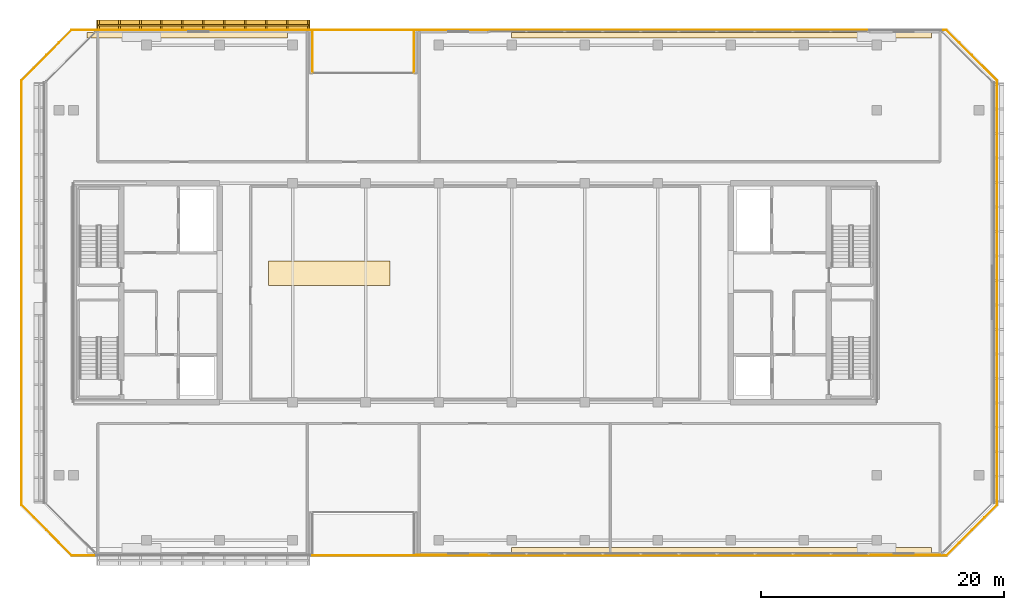
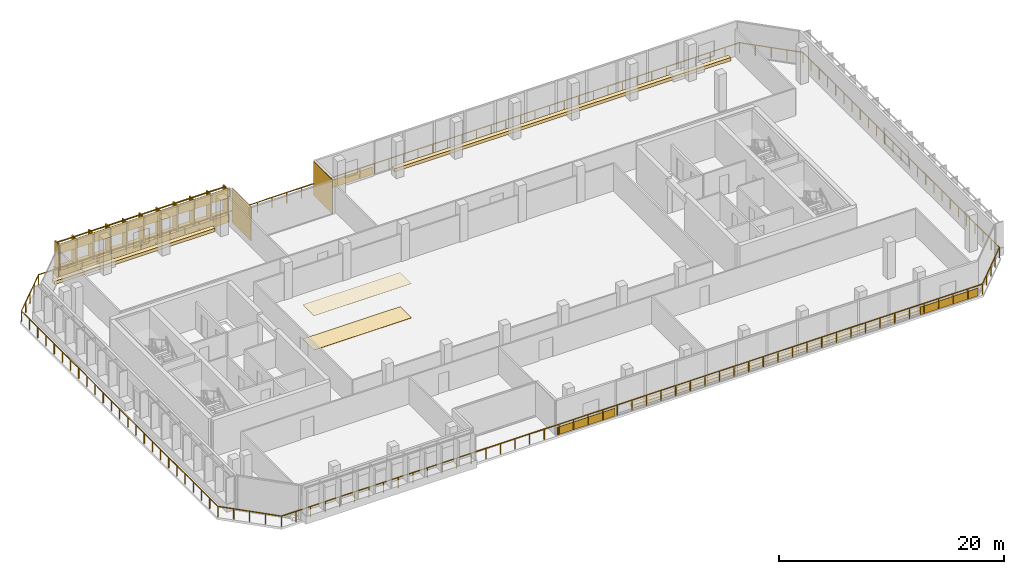
# One storey, part 25 of 26: 12 coverings, 3 railings.
"""IFC4 building model written with IfcOpenShell, lengths in metres."""

from ifc_helpers import new_model, si_unit, direction, frame, origin, origin_2d, place, context, subcontext, project, spatial, polyline, rectangle, outline, extrude, material, layer, layer_set, type_object, element, save


model = new_model("IFC4")

# Units and contexts
model_context = context("Model", 3, precision=1e-05, world=origin(), true_north=direction((0.0, 1.0)))
body_context = subcontext(model_context, "Body", "Model", "MODEL_VIEW")
ifc_project = project(units=[si_unit("LENGTHUNIT", "METRE"), si_unit("AREAUNIT", "SQUARE_METRE"), si_unit("VOLUMEUNIT", "CUBIC_METRE"), si_unit("PLANEANGLEUNIT", "RADIAN"), si_unit("MASSUNIT", "GRAM", prefix="KILO")], contexts=[model_context])

# Site, building, storey
site_placement = place(None, origin())
site = spatial("IfcSite", under=ifc_project, at=site_placement, CompositionType="ELEMENT")
building_placement = place(site_placement, origin())
building = spatial("IfcBuilding", under=site, at=building_placement, Name="Tanjung Sevakor Pilgrim Tower", CompositionType="ELEMENT")
storey_placement = place(building_placement, frame((0.0, 0.0, 177.8701171875)))
storey = spatial("IfcBuildingStorey", under=building, at=storey_placement, Name="L49", CompositionType="ELEMENT", Elevation=177.8701171875)

# Coverings
ifc_material_1 = material(Name="Acoustic Gypsum Board Ceiling", Category="gypsum board")
ifc_layer_1 = layer(ifc_material_1, 0.02490234375)
ifc_layer_set_1 = layer_set([ifc_layer_1], Name="COV-CEIL-ACOUSTIC")
covering_type_1 = type_object("IfcCoveringType", Name="COV-CEIL-ACOUSTIC", PredefinedType="CEILING", material=ifc_layer_set_1)
covering_1_placement = place(storey_placement, frame((45.0, 35.199951171875, 3.71533203125), z_axis=(0.0, 0.0, 1.0), x_axis=(1.0, 0.0, 0.0)))
element("IfcCovering", 1, at=covering_1_placement, inside=storey, type_object=covering_type_1, Name="L49 Acoustic Suspended Ceiling", PredefinedType="CEILING", context=body_context, shape_type="SweptSolid", body=[
    extrude(rectangle(XDim=10.0, YDim=2.0, at=origin_2d()), origin(), (0.0, 0.0, 1.0), 0.02490234375),
])
ifc_material_2 = material(Name="Reconstructed Limestone Cladding", Category="masonry")
ifc_layer_2 = layer(ifc_material_2, 0.044921875)
ifc_layer_set_2 = layer_set([ifc_layer_2], Name="COV-CLAD-LIMESTONE")
covering_type_2 = type_object("IfcCoveringType", Name="COV-CLAD-LIMESTONE", PredefinedType="CLADDING", material=ifc_layer_set_2)
for number, where, z_axis, x_axis, name in (
    (2, (55.110107421875, 12.027587890625, 0.009765625), (0.0, 0.0, 1.0), (1.0, 0.0, 0.0), "L49 Warm Limestone Sill Spandrel EW-SKY-L49-S1-1"),
    (3, (92.3544921875, 12.027587890625, 0.009765625), (0.0, 0.0, 1.0), (1.0, 0.0, 0.0), "L49 Warm Limestone Sill Spandrel EW-SKY-L49-S2-1"),
    (4, (55.110107421875, 55.172607421875, 0.009765625), (0.0, 0.0, 1.0), (-1.0, 0.0, 0.0), "L49 Warm Limestone Sill Spandrel EW-SKY-L49-N2-1"),
):
    element("IfcCovering", number, at=place(storey_placement, frame(where, z_axis=z_axis, x_axis=x_axis)), inside=storey, type_object=covering_type_2, Name=name, PredefinedType="CLADDING", context=body_context, shape_type="SweptSolid", body=[
        extrude(rectangle(XDim=5.919921875, YDim=0.044921875, at=origin_2d()), origin(), (0.0, 0.0, 1.0), 0.840087890625),
    ])
for number, where, z_axis, x_axis, name in (
    (5, (51.9775390625, 53.340087890625, 0.02001953125), (0.0, 0.0, 1.0), (0.0, -1.0, 0.0), "L49 Warm Limestone Wall Cladding EW-L49-MAIN-10"),
    (6, (43.62255859375, 53.340087890625, 0.02001953125), (0.0, 0.0, 1.0), (0.0, 1.0, 0.0), "L49 Warm Limestone Wall Cladding EW-L49-MAIN-12"),
):
    element("IfcCovering", number, at=place(storey_placement, frame(where, z_axis=z_axis, x_axis=x_axis)), inside=storey, type_object=covering_type_2, Name=name, PredefinedType="CLADDING", context=body_context, shape_type="SweptSolid", body=[
        extrude(rectangle(XDim=3.360107421875, YDim=0.044921875, at=origin_2d()), origin(), (0.0, 0.0, 1.0), 3.699951171875),
    ])
covering_2_placement = place(storey_placement, frame((34.667724609375, 55.580078125, 0.009765625), z_axis=(0.0, 0.0, 1.0), x_axis=(-1.0, 0.0, 0.0)))
element("IfcCovering", 7, at=covering_2_placement, inside=storey, type_object=covering_type_2, Name="L49 Warm Limestone Sill Spandrel EW-L49-MAIN-13-1", PredefinedType="CLADDING", context=body_context, shape_type="SweptSolid", body=[
    extrude(rectangle(XDim=17.564453125, YDim=0.860107421875, at=origin_2d()), origin(), (0.0, 0.0, 1.0), 0.840087890625),
])
covering_3_placement = place(storey_placement, frame((34.667724609375, 55.172607421875, 2.65966796875), z_axis=(0.0, 0.0, 1.0), x_axis=(-1.0, 0.0, 0.0)))
element("IfcCovering", 8, at=covering_3_placement, inside=storey, type_object=covering_type_2, Name="L49 Warm Limestone Cornice Spandrel EW-L49-MAIN-13", PredefinedType="CLADDING", context=body_context, shape_type="SweptSolid", body=[
    extrude(rectangle(XDim=17.6044921875, YDim=0.044921875, at=origin_2d()), origin(), (0.0, 0.0, 1.0), 1.070068359375),
])
ifc_material_3 = material(Name="Honed Limestone Terrazzo Flooring", Category="masonry")
ifc_layer_3 = layer(ifc_material_3, 0.030029296875)
ifc_layer_set_3 = layer_set([ifc_layer_3], Name="COV-FLOOR-TERRAZZO")
covering_type_3 = type_object("IfcCoveringType", Name="COV-FLOOR-TERRAZZO", PredefinedType="FLOORING", material=ifc_layer_set_3)
covering_4_placement = place(storey_placement, frame((45.0, 35.199951171875, 0.0), z_axis=(0.0, 0.0, 1.0), x_axis=(1.0, 0.0, 0.0)))
element("IfcCovering", 9, at=covering_4_placement, inside=storey, type_object=covering_type_3, Name="L49 Terrazzo Lobby Flooring", PredefinedType="FLOORING", context=body_context, shape_type="SweptSolid", body=[
    extrude(rectangle(XDim=10.0, YDim=2.0, at=origin_2d()), origin(), (0.0, 0.0, 1.0), 0.030029296875),
])
ifc_material_4 = material(Name="Vegetated Modular Planter Assembly", Category="organic")
ifc_layer_4 = layer(ifc_material_4, 0.35009765625)
ifc_layer_set_4 = layer_set([ifc_layer_4], Name="COV-GRN-TROUGH")
covering_type_4 = type_object("IfcCoveringType", Name="COV-GRN-TROUGH", PredefinedType="CLADDING", material=ifc_layer_set_4)
covering_5_placement = place(storey_placement, origin())
element("IfcCovering", 10, at=covering_5_placement, inside=storey, type_object=covering_type_4, Name="L49 Planted Landscape Hedge Trough SGRN-L49-SE", PredefinedType="CLADDING", context=body_context, shape_type="SweptSolid", body=[
    extrude(outline(polyline([(60.0, 12.22998046875), (94.5, 12.22998046875), (94.5, 12.669921875), (60.0, 12.669921875), (60.0, 12.22998046875)])), origin(), (0.0, 0.0, 1.0), 0.349853515625),
])
covering_6_placement = place(storey_placement, origin())
element("IfcCovering", 11, at=covering_6_placement, inside=storey, type_object=covering_type_4, Name="L49 Planted Landscape Hedge Trough SGRN-L49-NW", PredefinedType="CLADDING", context=body_context, shape_type="SweptSolid", body=[
    extrude(outline(polyline([(25.10009765625, 54.530029296875), (41.60009765625, 54.530029296875), (41.60009765625, 54.969970703125), (25.10009765625, 54.969970703125), (25.10009765625, 54.530029296875)])), origin(), (0.0, 0.0, 1.0), 0.349853515625),
])
covering_7_placement = place(storey_placement, origin())
element("IfcCovering", 12, at=covering_7_placement, inside=storey, type_object=covering_type_4, Name="L49 Planted Landscape Hedge Trough SGRN-L49-NE", PredefinedType="CLADDING", context=body_context, shape_type="SweptSolid", body=[
    extrude(outline(polyline([(60.0, 54.530029296875), (94.5, 54.530029296875), (94.5, 54.969970703125), (60.0, 54.969970703125), (60.0, 54.530029296875)])), origin(), (0.0, 0.0, 1.0), 0.349853515625),
])

# Railings
ifc_material_5 = material(Name="Steel S355J2", Category="steel")
railing_type_1 = type_object("IfcRailingType", Name="RL-EXT-GUARD", PredefinedType="GUARDRAIL", material=ifc_material_5)
railing_1_placement = place(storey_placement, frame((23.849609375, 12.02001953125, 0.0)))
element("IfcRailing", 13, at=railing_1_placement, inside=storey, type_object=railing_type_1, Name="L49 Terrace Perimeter Guardrail GR-SKYTER-L49-1", PredefinedType="GUARDRAIL", context=body_context, shape_type="SweptSolid", body=[
    extrude(rectangle(XDim=0.0479, YDim=0.0479), frame((0.0, 0.0, 1.1259765625), z_axis=(1.0, 0.0, 0.0), x_axis=(0.0, 1.0, 0.0)), (0.0, 0.0, 1.0), 71.900634765625),
    extrude(rectangle(XDim=0.0479, YDim=0.0479), frame((71.900634765625, 0.0, 1.1259765625), z_axis=(0.707106781187, 0.707106781187, 0.0), x_axis=(-0.707106781187, 0.707106781187, 0.0)), (0.0, 0.0, 1.0), 5.840087890625),
    extrude(rectangle(XDim=0.0479, YDim=0.0479), frame((76.0302734375, 4.129638671875, 1.1259765625), z_axis=(0.0, 1.0, 0.0), x_axis=(-1.0, 0.0, 0.0)), (0.0, 0.0, 1.0), 34.900634765625),
    extrude(rectangle(XDim=0.0479, YDim=0.0479), frame((76.0302734375, 39.0302734375, 1.1259765625), z_axis=(-0.707106781187, 0.707106781187, 0.0), x_axis=(-0.707106781187, -0.707106781187, 0.0)), (0.0, 0.0, 1.0), 5.840087890625),
    extrude(rectangle(XDim=0.042, YDim=0.042), origin(), (0.0, 0.0, 1.0), 1.101806640625),
    extrude(rectangle(XDim=0.042, YDim=0.042), frame((1.498046875, 0.0, 0.0)), (0.0, 0.0, 1.0), 1.101806640625),
    extrude(rectangle(XDim=0.042, YDim=0.042), frame((2.995849609375, 0.0, 0.0)), (0.0, 0.0, 1.0), 1.101806640625),
    extrude(rectangle(XDim=0.042, YDim=0.042), frame((4.493896484375, 0.0, 0.0)), (0.0, 0.0, 1.0), 1.101806640625),
    extrude(rectangle(XDim=0.042, YDim=0.042), frame((5.99169921875, 0.0, 0.0)), (0.0, 0.0, 1.0), 1.101806640625),
    extrude(rectangle(XDim=0.042, YDim=0.042), frame((7.48974609375, 0.0, 0.0)), (0.0, 0.0, 1.0), 1.101806640625),
    extrude(rectangle(XDim=0.042, YDim=0.042), frame((8.987548828125, 0.0, 0.0)), (0.0, 0.0, 1.0), 1.101806640625),
    extrude(rectangle(XDim=0.042, YDim=0.042), frame((10.485595703125, 0.0, 0.0)), (0.0, 0.0, 1.0), 1.101806640625),
    extrude(rectangle(XDim=0.042, YDim=0.042), frame((11.9833984375, 0.0, 0.0)), (0.0, 0.0, 1.0), 1.101806640625),
    extrude(rectangle(XDim=0.042, YDim=0.042), frame((13.4814453125, 0.0, 0.0)), (0.0, 0.0, 1.0), 1.101806640625),
    extrude(rectangle(XDim=0.042, YDim=0.042), frame((14.979248046875, 0.0, 0.0)), (0.0, 0.0, 1.0), 1.101806640625),
    extrude(rectangle(XDim=0.042, YDim=0.042), frame((16.477294921875, 0.0, 0.0)), (0.0, 0.0, 1.0), 1.101806640625),
    extrude(rectangle(XDim=0.042, YDim=0.042), frame((17.97509765625, 0.0, 0.0)), (0.0, 0.0, 1.0), 1.101806640625),
    extrude(rectangle(XDim=0.042, YDim=0.042), frame((19.47314453125, 0.0, 0.0)), (0.0, 0.0, 1.0), 1.101806640625),
    extrude(rectangle(XDim=0.042, YDim=0.042), frame((20.970947265625, 0.0, 0.0)), (0.0, 0.0, 1.0), 1.101806640625),
    extrude(rectangle(XDim=0.042, YDim=0.042), frame((22.468994140625, 0.0, 0.0)), (0.0, 0.0, 1.0), 1.101806640625),
    extrude(rectangle(XDim=0.042, YDim=0.042), frame((23.966796875, 0.0, 0.0)), (0.0, 0.0, 1.0), 1.101806640625),
    extrude(rectangle(XDim=0.042, YDim=0.042), frame((25.46484375, 0.0, 0.0)), (0.0, 0.0, 1.0), 1.101806640625),
    extrude(rectangle(XDim=0.042, YDim=0.042), frame((26.962646484375, 0.0, 0.0)), (0.0, 0.0, 1.0), 1.101806640625),
    extrude(rectangle(XDim=0.042, YDim=0.042), frame((28.460693359375, 0.0, 0.0)), (0.0, 0.0, 1.0), 1.101806640625),
    extrude(rectangle(XDim=0.042, YDim=0.042), frame((29.95849609375, 0.0, 0.0)), (0.0, 0.0, 1.0), 1.101806640625),
    extrude(rectangle(XDim=0.042, YDim=0.042), frame((31.45654296875, 0.0, 0.0)), (0.0, 0.0, 1.0), 1.101806640625),
    extrude(rectangle(XDim=0.042, YDim=0.042), frame((32.954345703125, 0.0, 0.0)), (0.0, 0.0, 1.0), 1.101806640625),
    extrude(rectangle(XDim=0.042, YDim=0.042), frame((34.452392578125, 0.0, 0.0)), (0.0, 0.0, 1.0), 1.101806640625),
    extrude(rectangle(XDim=0.042, YDim=0.042), frame((35.9501953125, 0.0, 0.0)), (0.0, 0.0, 1.0), 1.101806640625),
    extrude(rectangle(XDim=0.042, YDim=0.042), frame((37.4482421875, 0.0, 0.0)), (0.0, 0.0, 1.0), 1.101806640625),
    extrude(rectangle(XDim=0.042, YDim=0.042), frame((38.9462890625, 0.0, 0.0)), (0.0, 0.0, 1.0), 1.101806640625),
    extrude(rectangle(XDim=0.042, YDim=0.042), frame((40.444091796875, 0.0, 0.0)), (0.0, 0.0, 1.0), 1.101806640625),
    extrude(rectangle(XDim=0.042, YDim=0.042), frame((41.942138671875, 0.0, 0.0)), (0.0, 0.0, 1.0), 1.101806640625),
    extrude(rectangle(XDim=0.042, YDim=0.042), frame((43.43994140625, 0.0, 0.0)), (0.0, 0.0, 1.0), 1.101806640625),
    extrude(rectangle(XDim=0.042, YDim=0.042), frame((44.93798828125, 0.0, 0.0)), (0.0, 0.0, 1.0), 1.101806640625),
    extrude(rectangle(XDim=0.042, YDim=0.042), frame((46.435791015625, 0.0, 0.0)), (0.0, 0.0, 1.0), 1.101806640625),
    extrude(rectangle(XDim=0.042, YDim=0.042), frame((47.933837890625, 0.0, 0.0)), (0.0, 0.0, 1.0), 1.101806640625),
    extrude(rectangle(XDim=0.042, YDim=0.042), frame((49.431640625, 0.0, 0.0)), (0.0, 0.0, 1.0), 1.101806640625),
    extrude(rectangle(XDim=0.042, YDim=0.042), frame((50.9296875, 0.0, 0.0)), (0.0, 0.0, 1.0), 1.101806640625),
    extrude(rectangle(XDim=0.042, YDim=0.042), frame((52.427490234375, 0.0, 0.0)), (0.0, 0.0, 1.0), 1.101806640625),
    extrude(rectangle(XDim=0.042, YDim=0.042), frame((53.925537109375, 0.0, 0.0)), (0.0, 0.0, 1.0), 1.101806640625),
    extrude(rectangle(XDim=0.042, YDim=0.042), frame((55.42333984375, 0.0, 0.0)), (0.0, 0.0, 1.0), 1.101806640625),
    extrude(rectangle(XDim=0.042, YDim=0.042), frame((56.92138671875, 0.0, 0.0)), (0.0, 0.0, 1.0), 1.101806640625),
    extrude(rectangle(XDim=0.042, YDim=0.042), frame((58.419189453125, 0.0, 0.0)), (0.0, 0.0, 1.0), 1.101806640625),
    extrude(rectangle(XDim=0.042, YDim=0.042), frame((59.917236328125, 0.0, 0.0)), (0.0, 0.0, 1.0), 1.101806640625),
    extrude(rectangle(XDim=0.042, YDim=0.042), frame((61.4150390625, 0.0, 0.0)), (0.0, 0.0, 1.0), 1.101806640625),
    extrude(rectangle(XDim=0.042, YDim=0.042), frame((62.9130859375, 0.0, 0.0)), (0.0, 0.0, 1.0), 1.101806640625),
    extrude(rectangle(XDim=0.042, YDim=0.042), frame((64.410888671875, 0.0, 0.0)), (0.0, 0.0, 1.0), 1.101806640625),
    extrude(rectangle(XDim=0.042, YDim=0.042), frame((65.908935546875, 0.0, 0.0)), (0.0, 0.0, 1.0), 1.101806640625),
    extrude(rectangle(XDim=0.042, YDim=0.042), frame((67.40673828125, 0.0, 0.0)), (0.0, 0.0, 1.0), 1.101806640625),
    extrude(rectangle(XDim=0.042, YDim=0.042), frame((68.90478515625, 0.0, 0.0)), (0.0, 0.0, 1.0), 1.101806640625),
    extrude(rectangle(XDim=0.042, YDim=0.042), frame((70.402587890625, 0.0, 0.0)), (0.0, 0.0, 1.0), 1.101806640625),
    extrude(rectangle(XDim=0.042, YDim=0.042), frame((71.900634765625, 0.0, 0.0)), (0.0, 0.0, 1.0), 1.101806640625),
    extrude(rectangle(XDim=0.042, YDim=0.042), frame((72.93310546875, 1.032470703125, 0.0)), (0.0, 0.0, 1.0), 1.101806640625),
    extrude(rectangle(XDim=0.042, YDim=0.042), frame((73.96533203125, 2.06494140625, 0.0)), (0.0, 0.0, 1.0), 1.101806640625),
    extrude(rectangle(XDim=0.042, YDim=0.042), frame((74.997802734375, 3.09716796875, 0.0)), (0.0, 0.0, 1.0), 1.101806640625),
    extrude(rectangle(XDim=0.042, YDim=0.042), frame((76.0302734375, 4.129638671875, 0.0)), (0.0, 0.0, 1.0), 1.101806640625),
    extrude(rectangle(XDim=0.042, YDim=0.042), frame((76.0302734375, 5.583740234375, 0.0)), (0.0, 0.0, 1.0), 1.101806640625),
    extrude(rectangle(XDim=0.042, YDim=0.042), frame((76.0302734375, 7.0380859375, 0.0)), (0.0, 0.0, 1.0), 1.101806640625),
    extrude(rectangle(XDim=0.042, YDim=0.042), frame((76.0302734375, 8.4921875, 0.0)), (0.0, 0.0, 1.0), 1.101806640625),
    extrude(rectangle(XDim=0.042, YDim=0.042), frame((76.0302734375, 9.9462890625, 0.0)), (0.0, 0.0, 1.0), 1.101806640625),
    extrude(rectangle(XDim=0.042, YDim=0.042), frame((76.0302734375, 11.400634765625, 0.0)), (0.0, 0.0, 1.0), 1.101806640625),
    extrude(rectangle(XDim=0.042, YDim=0.042), frame((76.0302734375, 12.854736328125, 0.0)), (0.0, 0.0, 1.0), 1.101806640625),
    extrude(rectangle(XDim=0.042, YDim=0.042), frame((76.0302734375, 14.30908203125, 0.0)), (0.0, 0.0, 1.0), 1.101806640625),
    extrude(rectangle(XDim=0.042, YDim=0.042), frame((76.0302734375, 15.76318359375, 0.0)), (0.0, 0.0, 1.0), 1.101806640625),
    extrude(rectangle(XDim=0.042, YDim=0.042), frame((76.0302734375, 17.21728515625, 0.0)), (0.0, 0.0, 1.0), 1.101806640625),
    extrude(rectangle(XDim=0.042, YDim=0.042), frame((76.0302734375, 18.671630859375, 0.0)), (0.0, 0.0, 1.0), 1.101806640625),
    extrude(rectangle(XDim=0.042, YDim=0.042), frame((76.0302734375, 20.125732421875, 0.0)), (0.0, 0.0, 1.0), 1.101806640625),
    extrude(rectangle(XDim=0.042, YDim=0.042), frame((76.0302734375, 21.580078125, 0.0)), (0.0, 0.0, 1.0), 1.101806640625),
    extrude(rectangle(XDim=0.042, YDim=0.042), frame((76.0302734375, 23.0341796875, 0.0)), (0.0, 0.0, 1.0), 1.101806640625),
    extrude(rectangle(XDim=0.042, YDim=0.042), frame((76.0302734375, 24.48828125, 0.0)), (0.0, 0.0, 1.0), 1.101806640625),
    extrude(rectangle(XDim=0.042, YDim=0.042), frame((76.0302734375, 25.942626953125, 0.0)), (0.0, 0.0, 1.0), 1.101806640625),
    extrude(rectangle(XDim=0.042, YDim=0.042), frame((76.0302734375, 27.396728515625, 0.0)), (0.0, 0.0, 1.0), 1.101806640625),
    extrude(rectangle(XDim=0.042, YDim=0.042), frame((76.0302734375, 28.850830078125, 0.0)), (0.0, 0.0, 1.0), 1.101806640625),
    extrude(rectangle(XDim=0.042, YDim=0.042), frame((76.0302734375, 30.30517578125, 0.0)), (0.0, 0.0, 1.0), 1.101806640625),
    extrude(rectangle(XDim=0.042, YDim=0.042), frame((76.0302734375, 31.75927734375, 0.0)), (0.0, 0.0, 1.0), 1.101806640625),
    extrude(rectangle(XDim=0.042, YDim=0.042), frame((76.0302734375, 33.21337890625, 0.0)), (0.0, 0.0, 1.0), 1.101806640625),
    extrude(rectangle(XDim=0.042, YDim=0.042), frame((76.0302734375, 34.667724609375, 0.0)), (0.0, 0.0, 1.0), 1.101806640625),
    extrude(rectangle(XDim=0.042, YDim=0.042), frame((76.0302734375, 36.121826171875, 0.0)), (0.0, 0.0, 1.0), 1.101806640625),
    extrude(rectangle(XDim=0.042, YDim=0.042), frame((76.0302734375, 37.576171875, 0.0)), (0.0, 0.0, 1.0), 1.101806640625),
    extrude(rectangle(XDim=0.042, YDim=0.042), frame((76.0302734375, 39.0302734375, 0.0)), (0.0, 0.0, 1.0), 1.101806640625),
    extrude(rectangle(XDim=0.042, YDim=0.042), frame((74.997802734375, 40.062744140625, 0.0)), (0.0, 0.0, 1.0), 1.101806640625),
    extrude(rectangle(XDim=0.042, YDim=0.042), frame((73.96533203125, 41.09521484375, 0.0)), (0.0, 0.0, 1.0), 1.101806640625),
    extrude(rectangle(XDim=0.042, YDim=0.042), frame((72.93310546875, 42.12744140625, 0.0)), (0.0, 0.0, 1.0), 1.101806640625),
    extrude(rectangle(XDim=0.042, YDim=0.042), frame((71.900634765625, 43.159912109375, 0.0)), (0.0, 0.0, 1.0), 1.101806640625),
])
railing_2_placement = place(storey_placement, frame((95.750244140625, 55.179931640625, 0.0)))
element("IfcRailing", 14, at=railing_2_placement, inside=storey, type_object=railing_type_1, Name="L49 Terrace Perimeter Guardrail GR-SKYTER-L49-2", PredefinedType="GUARDRAIL", context=body_context, shape_type="SweptSolid", body=[
    extrude(rectangle(XDim=0.0479, YDim=0.0479), frame((0.0, 0.0, 1.1259765625), z_axis=(-1.0, 0.0, 0.0), x_axis=(0.0, -1.0, 0.0)), (0.0, 0.0, 1.0), 71.900634765625),
    extrude(rectangle(XDim=0.0479, YDim=0.0479), frame((-71.900634765625, 0.0, 1.1259765625), z_axis=(-0.707106781187, -0.707106781187, 0.0), x_axis=(0.707106781187, -0.707106781187, 0.0)), (0.0, 0.0, 1.0), 5.840087890625),
    extrude(rectangle(XDim=0.0479, YDim=0.0479), frame((-76.0302734375, -4.129638671875, 1.1259765625), z_axis=(0.0, -1.0, 0.0), x_axis=(1.0, 0.0, 0.0)), (0.0, 0.0, 1.0), 34.900634765625),
    extrude(rectangle(XDim=0.0479, YDim=0.0479), frame((-76.0302734375, -39.0302734375, 1.1259765625), z_axis=(0.707106781187, -0.707106781187, 0.0), x_axis=(0.707106781187, 0.707106781187, 0.0)), (0.0, 0.0, 1.0), 5.840087890625),
    extrude(rectangle(XDim=0.042, YDim=0.042), origin(), (0.0, 0.0, 1.0), 1.101806640625),
    extrude(rectangle(XDim=0.042, YDim=0.042), frame((-1.498046875, 0.0, 0.0)), (0.0, 0.0, 1.0), 1.101806640625),
    extrude(rectangle(XDim=0.042, YDim=0.042), frame((-2.995849609375, 0.0, 0.0)), (0.0, 0.0, 1.0), 1.101806640625),
    extrude(rectangle(XDim=0.042, YDim=0.042), frame((-4.493896484375, 0.0, 0.0)), (0.0, 0.0, 1.0), 1.101806640625),
    extrude(rectangle(XDim=0.042, YDim=0.042), frame((-5.99169921875, 0.0, 0.0)), (0.0, 0.0, 1.0), 1.101806640625),
    extrude(rectangle(XDim=0.042, YDim=0.042), frame((-7.48974609375, 0.0, 0.0)), (0.0, 0.0, 1.0), 1.101806640625),
    extrude(rectangle(XDim=0.042, YDim=0.042), frame((-8.987548828125, 0.0, 0.0)), (0.0, 0.0, 1.0), 1.101806640625),
    extrude(rectangle(XDim=0.042, YDim=0.042), frame((-10.485595703125, 0.0, 0.0)), (0.0, 0.0, 1.0), 1.101806640625),
    extrude(rectangle(XDim=0.042, YDim=0.042), frame((-11.9833984375, 0.0, 0.0)), (0.0, 0.0, 1.0), 1.101806640625),
    extrude(rectangle(XDim=0.042, YDim=0.042), frame((-13.4814453125, 0.0, 0.0)), (0.0, 0.0, 1.0), 1.101806640625),
    extrude(rectangle(XDim=0.042, YDim=0.042), frame((-14.979248046875, 0.0, 0.0)), (0.0, 0.0, 1.0), 1.101806640625),
    extrude(rectangle(XDim=0.042, YDim=0.042), frame((-16.477294921875, 0.0, 0.0)), (0.0, 0.0, 1.0), 1.101806640625),
    extrude(rectangle(XDim=0.042, YDim=0.042), frame((-17.97509765625, 0.0, 0.0)), (0.0, 0.0, 1.0), 1.101806640625),
    extrude(rectangle(XDim=0.042, YDim=0.042), frame((-19.47314453125, 0.0, 0.0)), (0.0, 0.0, 1.0), 1.101806640625),
    extrude(rectangle(XDim=0.042, YDim=0.042), frame((-20.970947265625, 0.0, 0.0)), (0.0, 0.0, 1.0), 1.101806640625),
    extrude(rectangle(XDim=0.042, YDim=0.042), frame((-22.468994140625, 0.0, 0.0)), (0.0, 0.0, 1.0), 1.101806640625),
    extrude(rectangle(XDim=0.042, YDim=0.042), frame((-23.966796875, 0.0, 0.0)), (0.0, 0.0, 1.0), 1.101806640625),
    extrude(rectangle(XDim=0.042, YDim=0.042), frame((-25.46484375, 0.0, 0.0)), (0.0, 0.0, 1.0), 1.101806640625),
    extrude(rectangle(XDim=0.042, YDim=0.042), frame((-26.962646484375, 0.0, 0.0)), (0.0, 0.0, 1.0), 1.101806640625),
    extrude(rectangle(XDim=0.042, YDim=0.042), frame((-28.460693359375, 0.0, 0.0)), (0.0, 0.0, 1.0), 1.101806640625),
    extrude(rectangle(XDim=0.042, YDim=0.042), frame((-29.95849609375, 0.0, 0.0)), (0.0, 0.0, 1.0), 1.101806640625),
    extrude(rectangle(XDim=0.042, YDim=0.042), frame((-31.45654296875, 0.0, 0.0)), (0.0, 0.0, 1.0), 1.101806640625),
    extrude(rectangle(XDim=0.042, YDim=0.042), frame((-32.954345703125, 0.0, 0.0)), (0.0, 0.0, 1.0), 1.101806640625),
    extrude(rectangle(XDim=0.042, YDim=0.042), frame((-34.452392578125, 0.0, 0.0)), (0.0, 0.0, 1.0), 1.101806640625),
    extrude(rectangle(XDim=0.042, YDim=0.042), frame((-35.9501953125, 0.0, 0.0)), (0.0, 0.0, 1.0), 1.101806640625),
    extrude(rectangle(XDim=0.042, YDim=0.042), frame((-37.4482421875, 0.0, 0.0)), (0.0, 0.0, 1.0), 1.101806640625),
    extrude(rectangle(XDim=0.042, YDim=0.042), frame((-38.9462890625, 0.0, 0.0)), (0.0, 0.0, 1.0), 1.101806640625),
    extrude(rectangle(XDim=0.042, YDim=0.042), frame((-40.444091796875, 0.0, 0.0)), (0.0, 0.0, 1.0), 1.101806640625),
    extrude(rectangle(XDim=0.042, YDim=0.042), frame((-41.942138671875, 0.0, 0.0)), (0.0, 0.0, 1.0), 1.101806640625),
    extrude(rectangle(XDim=0.042, YDim=0.042), frame((-43.43994140625, 0.0, 0.0)), (0.0, 0.0, 1.0), 1.101806640625),
    extrude(rectangle(XDim=0.042, YDim=0.042), frame((-44.93798828125, 0.0, 0.0)), (0.0, 0.0, 1.0), 1.101806640625),
    extrude(rectangle(XDim=0.042, YDim=0.042), frame((-46.435791015625, 0.0, 0.0)), (0.0, 0.0, 1.0), 1.101806640625),
    extrude(rectangle(XDim=0.042, YDim=0.042), frame((-47.933837890625, 0.0, 0.0)), (0.0, 0.0, 1.0), 1.101806640625),
    extrude(rectangle(XDim=0.042, YDim=0.042), frame((-49.431640625, 0.0, 0.0)), (0.0, 0.0, 1.0), 1.101806640625),
    extrude(rectangle(XDim=0.042, YDim=0.042), frame((-50.9296875, 0.0, 0.0)), (0.0, 0.0, 1.0), 1.101806640625),
    extrude(rectangle(XDim=0.042, YDim=0.042), frame((-52.427490234375, 0.0, 0.0)), (0.0, 0.0, 1.0), 1.101806640625),
    extrude(rectangle(XDim=0.042, YDim=0.042), frame((-53.925537109375, 0.0, 0.0)), (0.0, 0.0, 1.0), 1.101806640625),
    extrude(rectangle(XDim=0.042, YDim=0.042), frame((-55.42333984375, 0.0, 0.0)), (0.0, 0.0, 1.0), 1.101806640625),
    extrude(rectangle(XDim=0.042, YDim=0.042), frame((-56.92138671875, 0.0, 0.0)), (0.0, 0.0, 1.0), 1.101806640625),
    extrude(rectangle(XDim=0.042, YDim=0.042), frame((-58.419189453125, 0.0, 0.0)), (0.0, 0.0, 1.0), 1.101806640625),
    extrude(rectangle(XDim=0.042, YDim=0.042), frame((-59.917236328125, 0.0, 0.0)), (0.0, 0.0, 1.0), 1.101806640625),
    extrude(rectangle(XDim=0.042, YDim=0.042), frame((-61.4150390625, 0.0, 0.0)), (0.0, 0.0, 1.0), 1.101806640625),
    extrude(rectangle(XDim=0.042, YDim=0.042), frame((-62.9130859375, 0.0, 0.0)), (0.0, 0.0, 1.0), 1.101806640625),
    extrude(rectangle(XDim=0.042, YDim=0.042), frame((-64.410888671875, 0.0, 0.0)), (0.0, 0.0, 1.0), 1.101806640625),
    extrude(rectangle(XDim=0.042, YDim=0.042), frame((-65.908935546875, 0.0, 0.0)), (0.0, 0.0, 1.0), 1.101806640625),
    extrude(rectangle(XDim=0.042, YDim=0.042), frame((-67.40673828125, 0.0, 0.0)), (0.0, 0.0, 1.0), 1.101806640625),
    extrude(rectangle(XDim=0.042, YDim=0.042), frame((-68.90478515625, 0.0, 0.0)), (0.0, 0.0, 1.0), 1.101806640625),
    extrude(rectangle(XDim=0.042, YDim=0.042), frame((-70.402587890625, 0.0, 0.0)), (0.0, 0.0, 1.0), 1.101806640625),
    extrude(rectangle(XDim=0.042, YDim=0.042), frame((-71.900634765625, 0.0, 0.0)), (0.0, 0.0, 1.0), 1.101806640625),
    extrude(rectangle(XDim=0.042, YDim=0.042), frame((-72.93310546875, -1.032470703125, 0.0)), (0.0, 0.0, 1.0), 1.101806640625),
    extrude(rectangle(XDim=0.042, YDim=0.042), frame((-73.96533203125, -2.06494140625, 0.0)), (0.0, 0.0, 1.0), 1.101806640625),
    extrude(rectangle(XDim=0.042, YDim=0.042), frame((-74.997802734375, -3.09716796875, 0.0)), (0.0, 0.0, 1.0), 1.101806640625),
    extrude(rectangle(XDim=0.042, YDim=0.042), frame((-76.0302734375, -4.129638671875, 0.0)), (0.0, 0.0, 1.0), 1.101806640625),
    extrude(rectangle(XDim=0.042, YDim=0.042), frame((-76.0302734375, -5.583740234375, 0.0)), (0.0, 0.0, 1.0), 1.101806640625),
    extrude(rectangle(XDim=0.042, YDim=0.042), frame((-76.0302734375, -7.0380859375, 0.0)), (0.0, 0.0, 1.0), 1.101806640625),
    extrude(rectangle(XDim=0.042, YDim=0.042), frame((-76.0302734375, -8.4921875, 0.0)), (0.0, 0.0, 1.0), 1.101806640625),
    extrude(rectangle(XDim=0.042, YDim=0.042), frame((-76.0302734375, -9.9462890625, 0.0)), (0.0, 0.0, 1.0), 1.101806640625),
    extrude(rectangle(XDim=0.042, YDim=0.042), frame((-76.0302734375, -11.400634765625, 0.0)), (0.0, 0.0, 1.0), 1.101806640625),
    extrude(rectangle(XDim=0.042, YDim=0.042), frame((-76.0302734375, -12.854736328125, 0.0)), (0.0, 0.0, 1.0), 1.101806640625),
    extrude(rectangle(XDim=0.042, YDim=0.042), frame((-76.0302734375, -14.30908203125, 0.0)), (0.0, 0.0, 1.0), 1.101806640625),
    extrude(rectangle(XDim=0.042, YDim=0.042), frame((-76.0302734375, -15.76318359375, 0.0)), (0.0, 0.0, 1.0), 1.101806640625),
    extrude(rectangle(XDim=0.042, YDim=0.042), frame((-76.0302734375, -17.21728515625, 0.0)), (0.0, 0.0, 1.0), 1.101806640625),
    extrude(rectangle(XDim=0.042, YDim=0.042), frame((-76.0302734375, -18.671630859375, 0.0)), (0.0, 0.0, 1.0), 1.101806640625),
    extrude(rectangle(XDim=0.042, YDim=0.042), frame((-76.0302734375, -20.125732421875, 0.0)), (0.0, 0.0, 1.0), 1.101806640625),
    extrude(rectangle(XDim=0.042, YDim=0.042), frame((-76.0302734375, -21.580078125, 0.0)), (0.0, 0.0, 1.0), 1.101806640625),
    extrude(rectangle(XDim=0.042, YDim=0.042), frame((-76.0302734375, -23.0341796875, 0.0)), (0.0, 0.0, 1.0), 1.101806640625),
    extrude(rectangle(XDim=0.042, YDim=0.042), frame((-76.0302734375, -24.48828125, 0.0)), (0.0, 0.0, 1.0), 1.101806640625),
    extrude(rectangle(XDim=0.042, YDim=0.042), frame((-76.0302734375, -25.942626953125, 0.0)), (0.0, 0.0, 1.0), 1.101806640625),
    extrude(rectangle(XDim=0.042, YDim=0.042), frame((-76.0302734375, -27.396728515625, 0.0)), (0.0, 0.0, 1.0), 1.101806640625),
    extrude(rectangle(XDim=0.042, YDim=0.042), frame((-76.0302734375, -28.850830078125, 0.0)), (0.0, 0.0, 1.0), 1.101806640625),
    extrude(rectangle(XDim=0.042, YDim=0.042), frame((-76.0302734375, -30.30517578125, 0.0)), (0.0, 0.0, 1.0), 1.101806640625),
    extrude(rectangle(XDim=0.042, YDim=0.042), frame((-76.0302734375, -31.75927734375, 0.0)), (0.0, 0.0, 1.0), 1.101806640625),
    extrude(rectangle(XDim=0.042, YDim=0.042), frame((-76.0302734375, -33.21337890625, 0.0)), (0.0, 0.0, 1.0), 1.101806640625),
    extrude(rectangle(XDim=0.042, YDim=0.042), frame((-76.0302734375, -34.667724609375, 0.0)), (0.0, 0.0, 1.0), 1.101806640625),
    extrude(rectangle(XDim=0.042, YDim=0.042), frame((-76.0302734375, -36.121826171875, 0.0)), (0.0, 0.0, 1.0), 1.101806640625),
    extrude(rectangle(XDim=0.042, YDim=0.042), frame((-76.0302734375, -37.576171875, 0.0)), (0.0, 0.0, 1.0), 1.101806640625),
    extrude(rectangle(XDim=0.042, YDim=0.042), frame((-76.0302734375, -39.0302734375, 0.0)), (0.0, 0.0, 1.0), 1.101806640625),
    extrude(rectangle(XDim=0.042, YDim=0.042), frame((-74.997802734375, -40.062744140625, 0.0)), (0.0, 0.0, 1.0), 1.101806640625),
    extrude(rectangle(XDim=0.042, YDim=0.042), frame((-73.96533203125, -41.09521484375, 0.0)), (0.0, 0.0, 1.0), 1.101806640625),
    extrude(rectangle(XDim=0.042, YDim=0.042), frame((-72.93310546875, -42.12744140625, 0.0)), (0.0, 0.0, 1.0), 1.101806640625),
    extrude(rectangle(XDim=0.042, YDim=0.042), frame((-71.900634765625, -43.159912109375, 0.0)), (0.0, 0.0, 1.0), 1.101806640625),
])
ifc_material_6 = material(Name="Anodised Bronze Aluminium 6063-T6", Category="aluminium")
railing_type_2 = type_object("IfcRailingType", Name="RL-FIN-SCREEN", PredefinedType="BALUSTRADE", material=ifc_material_6)
railing_3_placement = place(storey_placement, frame((43.2900390625, 55.574951171875, 0.83984375)))
element("IfcRailing", 15, at=railing_3_placement, inside=storey, type_object=railing_type_2, Name="L49 Vertical Bronze-Gold Solar Fin Screen FNSCR-EW-L49-MAIN-13-1", PredefinedType="BALUSTRADE", context=body_context, shape_type="SweptSolid", body=[
    extrude(rectangle(XDim=0.105, YDim=0.105), frame((0.0, 0.0, 2.817626953125), z_axis=(-1.0, 0.0, 0.0), x_axis=(0.0, -1.0, 0.0)), (0.0, 0.0, 1.0), 17.244384765625),
    extrude(rectangle(XDim=0.14, YDim=0.85), origin(), (0.0, 0.0, 1.0), 2.76513671875),
    extrude(rectangle(XDim=0.14, YDim=0.85), frame((-1.724365234375, 0.0, 0.0)), (0.0, 0.0, 1.0), 2.76513671875),
    extrude(rectangle(XDim=0.14, YDim=0.85), frame((-3.448974609375, 0.0, 0.0)), (0.0, 0.0, 1.0), 2.76513671875),
    extrude(rectangle(XDim=0.14, YDim=0.85), frame((-5.17333984375, 0.0, 0.0)), (0.0, 0.0, 1.0), 2.76513671875),
    extrude(rectangle(XDim=0.14, YDim=0.85), frame((-6.897705078125, 0.0, 0.0)), (0.0, 0.0, 1.0), 2.76513671875),
    extrude(rectangle(XDim=0.14, YDim=0.85), frame((-8.6220703125, 0.0, 0.0)), (0.0, 0.0, 1.0), 2.76513671875),
    extrude(rectangle(XDim=0.14, YDim=0.85), frame((-10.3466796875, 0.0, 0.0)), (0.0, 0.0, 1.0), 2.76513671875),
    extrude(rectangle(XDim=0.14, YDim=0.85), frame((-12.071044921875, 0.0, 0.0)), (0.0, 0.0, 1.0), 2.76513671875),
    extrude(rectangle(XDim=0.14, YDim=0.85), frame((-13.79541015625, 0.0, 0.0)), (0.0, 0.0, 1.0), 2.76513671875),
    extrude(rectangle(XDim=0.14, YDim=0.85), frame((-15.52001953125, 0.0, 0.0)), (0.0, 0.0, 1.0), 2.76513671875),
    extrude(rectangle(XDim=0.14, YDim=0.85), frame((-17.244384765625, 0.0, 0.0)), (0.0, 0.0, 1.0), 2.76513671875),
])

save(model, "model.ifc")
